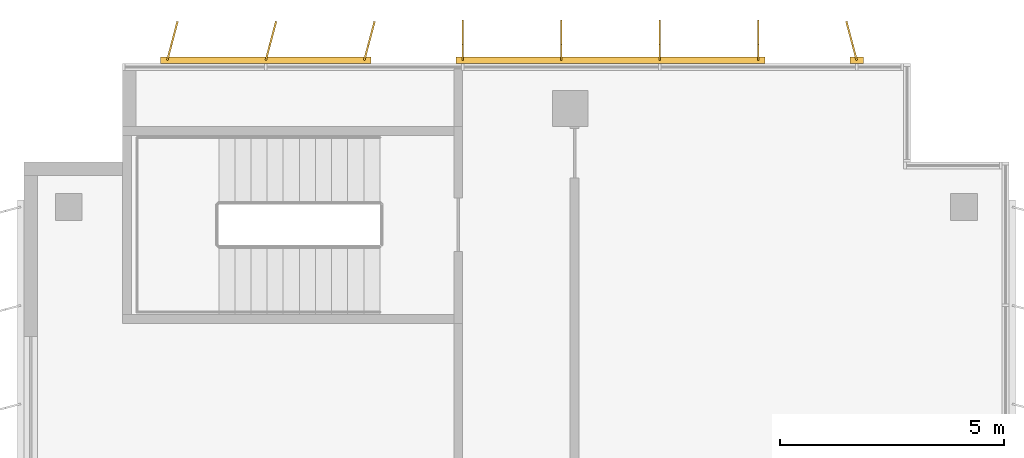
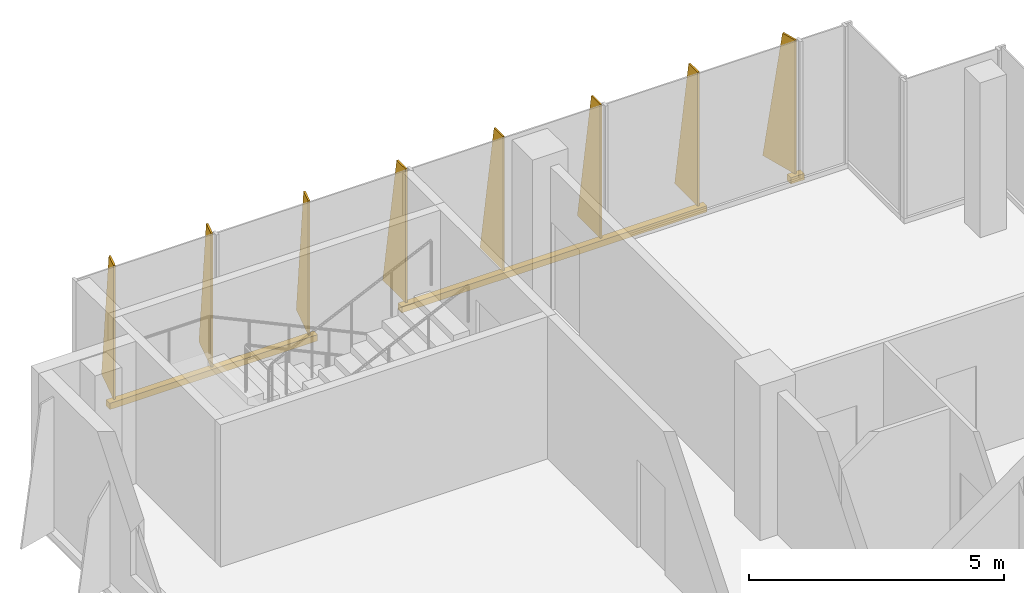
# One storey, part 16 of 16: 3 shading devices.
"""IFC4 building model written with IfcOpenShell, lengths in metres."""

from ifc_helpers import new_model, si_unit, direction, frame, origin, origin_2d, place, context, subcontext, project, spatial, polyline, rectangle, outline, extrude, source, transform, mapped, material, layer, layer_set, type_object, element, save


model = new_model("IFC4")

# Units and contexts
model_context = context("Model", 3, precision=1e-05, world=origin(), true_north=direction((0.0, 1.0)))
body_context = subcontext(model_context, "Body", "Model", "MODEL_VIEW")
ifc_project = project(units=[si_unit("LENGTHUNIT", "METRE"), si_unit("AREAUNIT", "SQUARE_METRE"), si_unit("VOLUMEUNIT", "CUBIC_METRE"), si_unit("PLANEANGLEUNIT", "RADIAN"), si_unit("MASSUNIT", "GRAM", prefix="KILO")], contexts=[model_context])

# Site, building, storey
site_placement = place(None, origin())
site = spatial("IfcSite", under=ifc_project, at=site_placement, CompositionType="ELEMENT")
building_placement = place(site_placement, origin())
building = spatial("IfcBuilding", under=site, at=building_placement, Name="Kemantara Hotel Tower", CompositionType="ELEMENT")
storey_placement = place(building_placement, frame((0.0, 0.0, 287.0)))
storey = spatial("IfcBuildingStorey", under=building, at=storey_placement, Name="L72", CompositionType="ELEMENT", Elevation=287.0)

# Shading devices
ifc_material = material(Name="Perforated aluminium plate 4 mm bronze anodised", Category="aluminium")
ifc_layer_1 = layer(ifc_material, 0.0400390625)
ifc_layer_set_1 = layer_set([ifc_layer_1], Name="Perforated aluminium plate 4 mm bronze anodised")
shading_device_type_1 = type_object("IfcShadingDeviceType", Name="SCREEN FIN CASSETTE, 3 BLADES AT -15.0 DEG, 3200 HIGH", PredefinedType="USERDEFINED", material=ifc_layer_set_1)
shared_shape_1 = source(origin(), body_context, "Body", "SweptSolid", [
    extrude(rectangle(XDim=4.699951171875, YDim=0.14990234375, at=origin_2d()), frame((2.199951171875, -0.074951171875, -0.14990234375), z_axis=(0.0, 0.0, 1.0), x_axis=(1.0, 0.0, 0.0)), (0.0, 0.0, 1.0), 0.14990234375),
    extrude(outline(polyline([(0.0, 0.0), (0.89990234375, 0.0), (0.35009765625, 3.199951171875), (0.0, 3.199951171875), (0.0, 0.0)])), frame((0.019287109375, -0.080078125, 0.0), z_axis=(-0.966437683387, 0.256901156343, 0.0), x_axis=(-0.256901156343, -0.966437683387, 0.0)), (0.0, 0.0, 1.0), 0.039794921875),
    extrude(outline(polyline([(0.0, 0.0), (0.89990234375, 0.0), (0.35009765625, 3.199951171875), (0.0, 3.199951171875), (0.0, 0.0)])), frame((2.21923828125, -0.080078125, 0.0), z_axis=(-0.966437683387, 0.256901156343, 0.0), x_axis=(-0.256901156343, -0.966437683387, 0.0)), (0.0, 0.0, 1.0), 0.039794921875),
    extrude(outline(polyline([(0.0, 0.0), (0.89990234375, 0.0), (0.35009765625, 3.199951171875), (0.0, 3.199951171875), (0.0, 0.0)])), frame((4.41943359375, -0.080078125, 0.0), z_axis=(-0.966837822169, 0.255391122837, 0.0), x_axis=(-0.255391122837, -0.966837822169, 0.0)), (0.0, 0.0, 1.0), 0.0400390625),
])
shading_device_1_placement = place(storey_placement, frame((7.60009765625, 63.60009765625, 0.10009765625), z_axis=(0.0, 0.0, 1.0), x_axis=(-1.0, 0.0, 0.0)))
element("IfcShadingDevice", 1, at=shading_device_1_placement, inside=storey, type_object=shading_device_type_1, Name="SCREEN FIN CASSETTE L72 T4-R02-3", ObjectType="SCREEN FIN", PredefinedType="USERDEFINED", context=body_context, shape_type="MappedRepresentation", body=[
    mapped(shared_shape_1, transform((0.0, 0.0, 0.0))),
])
ifc_layer_2 = layer(ifc_material, 0.0400390625)
ifc_layer_set_2 = layer_set([ifc_layer_2], Name="Perforated aluminium plate 4 mm bronze anodised")
shading_device_type_2 = type_object("IfcShadingDeviceType", Name="SCREEN FIN CASSETTE, 4 BLADES AT +0.0 DEG, 3200 HIGH", PredefinedType="USERDEFINED", material=ifc_layer_set_2)
shared_shape_2 = source(origin(), body_context, "Body", "SweptSolid", [
    extrude(rectangle(XDim=6.89990234375, YDim=0.14990234375, at=origin_2d()), frame((3.300048828125, -0.074951171875, -0.14990234375), z_axis=(0.0, 0.0, 1.0), x_axis=(1.0, 0.0, 0.0)), (0.0, 0.0, 1.0), 0.14990234375),
    extrude(outline(polyline([(0.0, 0.0), (0.89990234375, 0.0), (0.35009765625, 3.199951171875), (0.0, 3.199951171875), (0.0, 0.0)])), frame((0.02001953125, -0.074951171875, 0.0), z_axis=(-1.0, 0.0, 0.0), x_axis=(0.0, -1.0, 0.0)), (0.0, 0.0, 1.0), 0.0400390625),
    extrude(outline(polyline([(0.0, 0.0), (0.89990234375, 0.0), (0.35009765625, 3.199951171875), (0.0, 3.199951171875), (0.0, 0.0)])), frame((2.219970703125, -0.074951171875, 0.0), z_axis=(-1.0, 0.0, 0.0), x_axis=(0.0, -1.0, 0.0)), (0.0, 0.0, 1.0), 0.0400390625),
    extrude(outline(polyline([(0.0, 0.0), (0.89990234375, 0.0), (0.35009765625, 3.199951171875), (0.0, 3.199951171875), (0.0, 0.0)])), frame((4.419921875, -0.074951171875, 0.0), z_axis=(-1.0, 0.0, 0.0), x_axis=(0.0, -1.0, 0.0)), (0.0, 0.0, 1.0), 0.0400390625),
    extrude(outline(polyline([(0.0, 0.0), (0.89990234375, 0.0), (0.35009765625, 3.199951171875), (0.0, 3.199951171875), (0.0, 0.0)])), frame((6.6201171875, -0.074951171875, 0.0), z_axis=(-1.0, 0.0, 0.0), x_axis=(0.0, -1.0, 0.0)), (0.0, 0.0, 1.0), 0.0400390625),
])
shading_device_2_placement = place(storey_placement, frame((16.39990234375, 63.60009765625, 0.10009765625), z_axis=(0.0, 0.0, 1.0), x_axis=(-1.0, 0.0, 0.0)))
element("IfcShadingDevice", 2, at=shading_device_2_placement, inside=storey, type_object=shading_device_type_2, Name="SCREEN FIN CASSETTE L72 T4-R02-2", ObjectType="SCREEN FIN", PredefinedType="USERDEFINED", context=body_context, shape_type="MappedRepresentation", body=[
    mapped(shared_shape_2, transform((0.0, 0.0, 0.0))),
])
ifc_layer_3 = layer(ifc_material, 0.0400390625)
ifc_layer_set_3 = layer_set([ifc_layer_3], Name="Perforated aluminium plate 4 mm bronze anodised")
shading_device_type_3 = type_object("IfcShadingDeviceType", Name="SCREEN FIN CASSETTE, 1 BLADE AT +15.0 DEG, 3200 HIGH", PredefinedType="USERDEFINED", material=ifc_layer_set_3)
shared_shape_3 = source(origin(), body_context, "Body", "SweptSolid", [
    extrude(rectangle(XDim=0.300048828125, YDim=0.14990234375, at=origin_2d()), frame((0.0, -0.074951171875, -0.14990234375), z_axis=(0.0, 0.0, 1.0), x_axis=(1.0, 0.0, 0.0)), (0.0, 0.0, 1.0), 0.14990234375),
    extrude(outline(polyline([(0.0, 0.0), (0.89990234375, 0.0), (0.35009765625, 3.199951171875), (0.0, 3.199951171875), (0.0, 0.0)])), frame((0.019287109375, -0.06982421875, 0.0), z_axis=(-0.966437683387, -0.256901156343, 0.0), x_axis=(0.256901156343, -0.966437683387, 0.0)), (0.0, 0.0, 1.0), 0.039794921875),
])
shading_device_3_placement = place(storey_placement, frame((18.60009765625, 63.60009765625, 0.10009765625), z_axis=(0.0, 0.0, 1.0), x_axis=(-1.0, 0.0, 0.0)))
element("IfcShadingDevice", 3, at=shading_device_3_placement, inside=storey, type_object=shading_device_type_3, Name="SCREEN FIN CASSETTE L72 T4-R02-1", ObjectType="SCREEN FIN", PredefinedType="USERDEFINED", context=body_context, shape_type="MappedRepresentation", body=[
    mapped(shared_shape_3, transform((0.0, 0.0, 0.0))),
])

save(model, "model.ifc")
